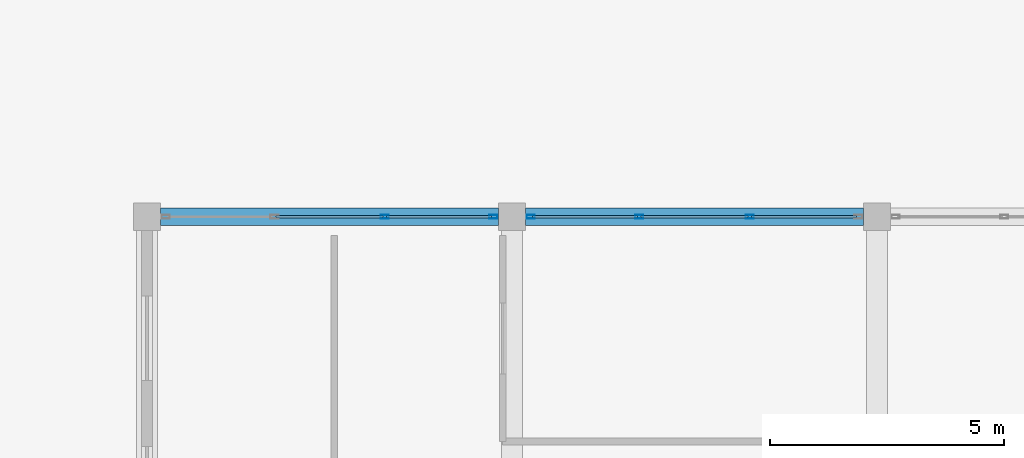
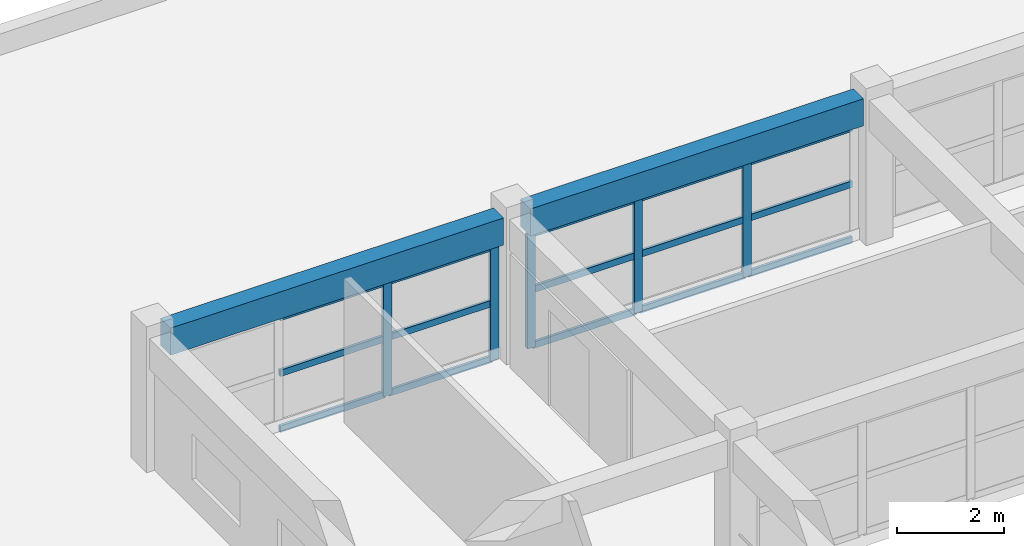
# One storey, part 67 of 101: 20 members, 2 beams, 2 elements without a shape of their own.
"""IFC4 building model written with IfcOpenShell, lengths in metres."""

from ifc_helpers import new_model, si_unit, direction, frame, origin, origin_2d, place, context, subcontext, project, spatial, rectangle, hollow_rectangle, extrude, material, layer, layer_set, material_profile, profile_set, type_object, element, aggregate, save


model = new_model("IFC4")

# Units and contexts
model_context = context("Model", 3, precision=1e-05, world=origin(), true_north=direction((0.0, 1.0)))
body_context = subcontext(model_context, "Body", "Model", "MODEL_VIEW")
ifc_project = project(units=[si_unit("LENGTHUNIT", "METRE"), si_unit("AREAUNIT", "SQUARE_METRE"), si_unit("VOLUMEUNIT", "CUBIC_METRE"), si_unit("PLANEANGLEUNIT", "RADIAN"), si_unit("MASSUNIT", "GRAM", prefix="KILO")], contexts=[model_context])

# Site, building, storey
site_placement = place(None, origin())
site = spatial("IfcSite", under=ifc_project, at=site_placement, CompositionType="ELEMENT")
building_placement = place(site_placement, origin())
building = spatial("IfcBuilding", under=site, at=building_placement, Name="Zizhar Promenade General Hospital", CompositionType="ELEMENT")
storey_placement = place(building_placement, frame((0.0, 0.0, 14.39990234375)))
storey = spatial("IfcBuildingStorey", under=building, at=storey_placement, Name="L03", CompositionType="ELEMENT", Elevation=14.39990234375)

# Beams
ifc_material_1 = material(Name="Concrete C35/45", Category="concrete")
ifc_material_profile_1 = material_profile(ifc_material_1, rectangle(XDim=0.3798828125, YDim=0.6201171875, at=origin_2d()))
ifc_profile_set_1 = profile_set([ifc_material_profile_1], Name="Concrete C35/45")
beam_type = type_object("IfcBeamType", Name="BM-RC-380x620", PredefinedType="JOIST", material=ifc_profile_set_1)
for number, where, z_axis, x_axis, name in (
    (1, (140.68994140625, 100.800048828125, 3.0), (1.0, 0.0, 0.0), (0.0, 1.0, 0.0), "Grid Beam X L03 (18-12)"),
    (2, (148.489990234375, 100.800048828125, 3.0), (1.0, 0.0, 0.0), (0.0, 1.0, 0.0), "Grid Beam X L03 (19-12)"),
):
    element("IfcBeam", number, at=place(storey_placement, frame(where, z_axis=z_axis, x_axis=x_axis)), inside=storey, type_object=beam_type, Name=name, PredefinedType="JOIST", context=body_context, shape_type="SweptSolid", body=[
        extrude(rectangle(XDim=0.3798828125, YDim=0.6201171875, at=origin_2d()), origin(), (0.0, 0.0, 1.0), 7.219970703125),
    ])

# Curtain wall, members
ifc_material_2 = material(Name="Anodised aluminium 6063-T6 and low-E glass", Category="aluminium")
ifc_layer = layer(ifc_material_2, 0.159912109375)
ifc_layer_set = layer_set([ifc_layer], Name="Anodised aluminium 6063-T6 and low-E glass")
curtain_wall_type = type_object("IfcCurtainWallType", Name="CW-CLN-L03", PredefinedType="NOTDEFINED", material=ifc_layer_set)
curtain_wall_1_placement = place(storey_placement, origin())
curtain_wall_1 = element("IfcCurtainWall", 3, at=curtain_wall_1_placement, inside=storey, type_object=curtain_wall_type, Name="L03 Clinic Pavilion North Glazing 18", PredefinedType="NOTDEFINED")
ifc_material_3 = material(Name="Anodised aluminium 6063-T6", Category="aluminium")
ifc_material_profile_2 = material_profile(ifc_material_3, hollow_rectangle(XDim=0.080078125, YDim=0.179931640625, WallThickness=0.0048828125, at=origin_2d()))
ifc_profile_set_2 = profile_set([ifc_material_profile_2], Name="Anodised aluminium 6063-T6")
member_type_1 = type_object("IfcMemberType", Name="CWM-ALU-180x80", PredefinedType="MULLION", material=ifc_profile_set_2)
member_1_placement = place(storey_placement, frame((145.47998046875, 100.800048828125, 0.0), z_axis=(0.0, 0.0, 1.0), x_axis=(0.0, 1.0, 0.0)))
member_1 = element("IfcMember", 4, at=member_1_placement, type_object=member_type_1, Name="CW-11 mullion 3", PredefinedType="MULLION", context=body_context, shape_type="SweptSolid", body=[
    extrude(hollow_rectangle(XDim=0.080078125, YDim=0.179931640625, WallThickness=0.0048828125, at=origin_2d()), origin(), (0.0, 0.0, 1.0), 2.6201171875),
])
member_2_placement = place(storey_placement, frame((147.800048828125, 100.800048828125, 0.0), z_axis=(0.0, 0.0, 1.0), x_axis=(0.0, 1.0, 0.0)))
member_2 = element("IfcMember", 5, at=member_2_placement, type_object=member_type_1, Name="CW-11 mullion 4", PredefinedType="MULLION", context=body_context, shape_type="SweptSolid", body=[
    extrude(hollow_rectangle(XDim=0.080078125, YDim=0.179931640625, WallThickness=0.0048828125, at=origin_2d()), origin(), (0.0, 0.0, 1.0), 2.6201171875),
])

curtain_wall_2_placement = place(storey_placement, origin())
curtain_wall_2 = element("IfcCurtainWall", 6, at=curtain_wall_2_placement, inside=storey, type_object=curtain_wall_type, Name="L03 Clinic Pavilion North Glazing 19", PredefinedType="NOTDEFINED")
member_3_placement = place(storey_placement, frame((148.60009765625, 100.800048828125, 0.0), z_axis=(0.0, 0.0, 1.0), x_axis=(0.0, 1.0, 0.0)))
member_3 = element("IfcMember", 7, at=member_3_placement, type_object=member_type_1, Name="CW-11 mullion 1", PredefinedType="MULLION", context=body_context, shape_type="SweptSolid", body=[
    extrude(hollow_rectangle(XDim=0.080078125, YDim=0.179931640625, WallThickness=0.0048828125, at=origin_2d()), origin(), (0.0, 0.0, 1.0), 2.6201171875),
])
member_4_placement = place(storey_placement, frame((150.919921875, 100.800048828125, 0.0), z_axis=(0.0, 0.0, 1.0), x_axis=(0.0, 1.0, 0.0)))
member_4 = element("IfcMember", 8, at=member_4_placement, type_object=member_type_1, Name="CW-11 mullion 2", PredefinedType="MULLION", context=body_context, shape_type="SweptSolid", body=[
    extrude(hollow_rectangle(XDim=0.080078125, YDim=0.179931640625, WallThickness=0.0048828125, at=origin_2d()), origin(), (0.0, 0.0, 1.0), 2.6201171875),
])
member_5_placement = place(storey_placement, frame((153.280029296875, 100.800048828125, 0.0), z_axis=(0.0, 0.0, 1.0), x_axis=(0.0, 1.0, 0.0)))
member_5 = element("IfcMember", 9, at=member_5_placement, type_object=member_type_1, Name="CW-11 mullion 3", PredefinedType="MULLION", context=body_context, shape_type="SweptSolid", body=[
    extrude(hollow_rectangle(XDim=0.080078125, YDim=0.179931640625, WallThickness=0.0048828125, at=origin_2d()), origin(), (0.0, 0.0, 1.0), 2.6201171875),
])

# Member
ifc_material_4 = material(Name="Anodised aluminium 6063-T6", Category="aluminium")
ifc_material_profile_3 = material_profile(ifc_material_4, hollow_rectangle(XDim=0.06005859375, YDim=0.14990234375, WallThickness=0.00390625, at=origin_2d()))
ifc_profile_set_3 = profile_set([ifc_material_profile_3], Name="Anodised aluminium 6063-T6")
member_type_2 = type_object("IfcMemberType", Name="CWT-ALU-150x60", PredefinedType="USERDEFINED", material=ifc_profile_set_3)
member_6_placement = place(storey_placement, frame((143.159912109375, 100.800048828125, 0.030029296875), z_axis=(1.0, 0.0, 0.0), x_axis=(0.0, 1.0, 0.0)))
member_6 = element("IfcMember", 10, at=member_6_placement, type_object=member_type_2, Name="CW-11 transom 2.1", ObjectType="TRANSOM", PredefinedType="USERDEFINED", context=body_context, shape_type="SweptSolid", body=[
    extrude(hollow_rectangle(XDim=0.06005859375, YDim=0.14990234375, WallThickness=0.00390625, at=origin_2d()), origin(), (0.0, 0.0, 1.0), 2.280029296875),
])

member_7_placement = place(storey_placement, frame((143.159912109375, 100.800048828125, 1.31005859375), z_axis=(1.0, 0.0, 0.0), x_axis=(0.0, 1.0, 0.0)))
member_7 = element("IfcMember", 11, at=member_7_placement, type_object=member_type_2, Name="CW-11 transom 2.2", ObjectType="TRANSOM", PredefinedType="USERDEFINED", context=body_context, shape_type="SweptSolid", body=[
    extrude(hollow_rectangle(XDim=0.06005859375, YDim=0.14990234375, WallThickness=0.00390625, at=origin_2d()), origin(), (0.0, 0.0, 1.0), 2.280029296875),
])

member_8_placement = place(storey_placement, frame((143.159912109375, 100.800048828125, 2.590087890625), z_axis=(1.0, 0.0, 0.0), x_axis=(0.0, 1.0, 0.0)))
member_8 = element("IfcMember", 12, at=member_8_placement, type_object=member_type_2, Name="CW-11 transom 2.3", ObjectType="TRANSOM", PredefinedType="USERDEFINED", context=body_context, shape_type="SweptSolid", body=[
    extrude(hollow_rectangle(XDim=0.06005859375, YDim=0.14990234375, WallThickness=0.00390625, at=origin_2d()), origin(), (0.0, 0.0, 1.0), 2.280029296875),
])

member_9_placement = place(storey_placement, frame((145.52001953125, 100.800048828125, 0.030029296875), z_axis=(1.0, 0.0, 0.0), x_axis=(0.0, 1.0, 0.0)))
member_9 = element("IfcMember", 13, at=member_9_placement, type_object=member_type_2, Name="CW-11 transom 3.1", ObjectType="TRANSOM", PredefinedType="USERDEFINED", context=body_context, shape_type="SweptSolid", body=[
    extrude(hollow_rectangle(XDim=0.06005859375, YDim=0.14990234375, WallThickness=0.00390625, at=origin_2d()), origin(), (0.0, 0.0, 1.0), 2.239990234375),
])

member_10_placement = place(storey_placement, frame((145.52001953125, 100.800048828125, 1.31005859375), z_axis=(1.0, 0.0, 0.0), x_axis=(0.0, 1.0, 0.0)))
member_10 = element("IfcMember", 14, at=member_10_placement, type_object=member_type_2, Name="CW-11 transom 3.2", ObjectType="TRANSOM", PredefinedType="USERDEFINED", context=body_context, shape_type="SweptSolid", body=[
    extrude(hollow_rectangle(XDim=0.06005859375, YDim=0.14990234375, WallThickness=0.00390625, at=origin_2d()), origin(), (0.0, 0.0, 1.0), 2.239990234375),
])

member_11_placement = place(storey_placement, frame((145.52001953125, 100.800048828125, 2.590087890625), z_axis=(1.0, 0.0, 0.0), x_axis=(0.0, 1.0, 0.0)))
member_11 = element("IfcMember", 15, at=member_11_placement, type_object=member_type_2, Name="CW-11 transom 3.3", ObjectType="TRANSOM", PredefinedType="USERDEFINED", context=body_context, shape_type="SweptSolid", body=[
    extrude(hollow_rectangle(XDim=0.06005859375, YDim=0.14990234375, WallThickness=0.00390625, at=origin_2d()), origin(), (0.0, 0.0, 1.0), 2.239990234375),
])

aggregate(curtain_wall_1, [member_1, member_2, member_6, member_7, member_8, member_9, member_10, member_11])

member_12_placement = place(storey_placement, frame((148.639892578125, 100.800048828125, 0.030029296875), z_axis=(1.0, 0.0, 0.0), x_axis=(0.0, 1.0, 0.0)))
member_12 = element("IfcMember", 16, at=member_12_placement, type_object=member_type_2, Name="CW-11 transom 1.1", ObjectType="TRANSOM", PredefinedType="USERDEFINED", context=body_context, shape_type="SweptSolid", body=[
    extrude(hollow_rectangle(XDim=0.06005859375, YDim=0.14990234375, WallThickness=0.00390625, at=origin_2d()), origin(), (0.0, 0.0, 1.0), 2.239990234375),
])

member_13_placement = place(storey_placement, frame((148.639892578125, 100.800048828125, 1.31005859375), z_axis=(1.0, 0.0, 0.0), x_axis=(0.0, 1.0, 0.0)))
member_13 = element("IfcMember", 17, at=member_13_placement, type_object=member_type_2, Name="CW-11 transom 1.2", ObjectType="TRANSOM", PredefinedType="USERDEFINED", context=body_context, shape_type="SweptSolid", body=[
    extrude(hollow_rectangle(XDim=0.06005859375, YDim=0.14990234375, WallThickness=0.00390625, at=origin_2d()), origin(), (0.0, 0.0, 1.0), 2.239990234375),
])

member_14_placement = place(storey_placement, frame((148.639892578125, 100.800048828125, 2.590087890625), z_axis=(1.0, 0.0, 0.0), x_axis=(0.0, 1.0, 0.0)))
member_14 = element("IfcMember", 18, at=member_14_placement, type_object=member_type_2, Name="CW-11 transom 1.3", ObjectType="TRANSOM", PredefinedType="USERDEFINED", context=body_context, shape_type="SweptSolid", body=[
    extrude(hollow_rectangle(XDim=0.06005859375, YDim=0.14990234375, WallThickness=0.00390625, at=origin_2d()), origin(), (0.0, 0.0, 1.0), 2.239990234375),
])

member_15_placement = place(storey_placement, frame((150.9599609375, 100.800048828125, 0.030029296875), z_axis=(1.0, 0.0, 0.0), x_axis=(0.0, 1.0, 0.0)))
member_15 = element("IfcMember", 19, at=member_15_placement, type_object=member_type_2, Name="CW-11 transom 2.1", ObjectType="TRANSOM", PredefinedType="USERDEFINED", context=body_context, shape_type="SweptSolid", body=[
    extrude(hollow_rectangle(XDim=0.06005859375, YDim=0.14990234375, WallThickness=0.00390625, at=origin_2d()), origin(), (0.0, 0.0, 1.0), 2.280029296875),
])

member_16_placement = place(storey_placement, frame((150.9599609375, 100.800048828125, 1.31005859375), z_axis=(1.0, 0.0, 0.0), x_axis=(0.0, 1.0, 0.0)))
member_16 = element("IfcMember", 20, at=member_16_placement, type_object=member_type_2, Name="CW-11 transom 2.2", ObjectType="TRANSOM", PredefinedType="USERDEFINED", context=body_context, shape_type="SweptSolid", body=[
    extrude(hollow_rectangle(XDim=0.06005859375, YDim=0.14990234375, WallThickness=0.00390625, at=origin_2d()), origin(), (0.0, 0.0, 1.0), 2.280029296875),
])

member_17_placement = place(storey_placement, frame((150.9599609375, 100.800048828125, 2.590087890625), z_axis=(1.0, 0.0, 0.0), x_axis=(0.0, 1.0, 0.0)))
member_17 = element("IfcMember", 21, at=member_17_placement, type_object=member_type_2, Name="CW-11 transom 2.3", ObjectType="TRANSOM", PredefinedType="USERDEFINED", context=body_context, shape_type="SweptSolid", body=[
    extrude(hollow_rectangle(XDim=0.06005859375, YDim=0.14990234375, WallThickness=0.00390625, at=origin_2d()), origin(), (0.0, 0.0, 1.0), 2.280029296875),
])

member_18_placement = place(storey_placement, frame((153.320068359375, 100.800048828125, 0.030029296875), z_axis=(1.0, 0.0, 0.0), x_axis=(0.0, 1.0, 0.0)))
member_18 = element("IfcMember", 22, at=member_18_placement, type_object=member_type_2, Name="CW-11 transom 3.1", ObjectType="TRANSOM", PredefinedType="USERDEFINED", context=body_context, shape_type="SweptSolid", body=[
    extrude(hollow_rectangle(XDim=0.06005859375, YDim=0.14990234375, WallThickness=0.00390625, at=origin_2d()), origin(), (0.0, 0.0, 1.0), 2.239990234375),
])

member_19_placement = place(storey_placement, frame((153.320068359375, 100.800048828125, 1.31005859375), z_axis=(1.0, 0.0, 0.0), x_axis=(0.0, 1.0, 0.0)))
member_19 = element("IfcMember", 23, at=member_19_placement, type_object=member_type_2, Name="CW-11 transom 3.2", ObjectType="TRANSOM", PredefinedType="USERDEFINED", context=body_context, shape_type="SweptSolid", body=[
    extrude(hollow_rectangle(XDim=0.06005859375, YDim=0.14990234375, WallThickness=0.00390625, at=origin_2d()), origin(), (0.0, 0.0, 1.0), 2.239990234375),
])

member_20_placement = place(storey_placement, frame((153.320068359375, 100.800048828125, 2.590087890625), z_axis=(1.0, 0.0, 0.0), x_axis=(0.0, 1.0, 0.0)))
member_20 = element("IfcMember", 24, at=member_20_placement, type_object=member_type_2, Name="CW-11 transom 3.3", ObjectType="TRANSOM", PredefinedType="USERDEFINED", context=body_context, shape_type="SweptSolid", body=[
    extrude(hollow_rectangle(XDim=0.06005859375, YDim=0.14990234375, WallThickness=0.00390625, at=origin_2d()), origin(), (0.0, 0.0, 1.0), 2.239990234375),
])

aggregate(curtain_wall_2, [member_3, member_4, member_5, member_12, member_13, member_14, member_15, member_16, member_17, member_18, member_19, member_20])

save(model, "model.ifc")
